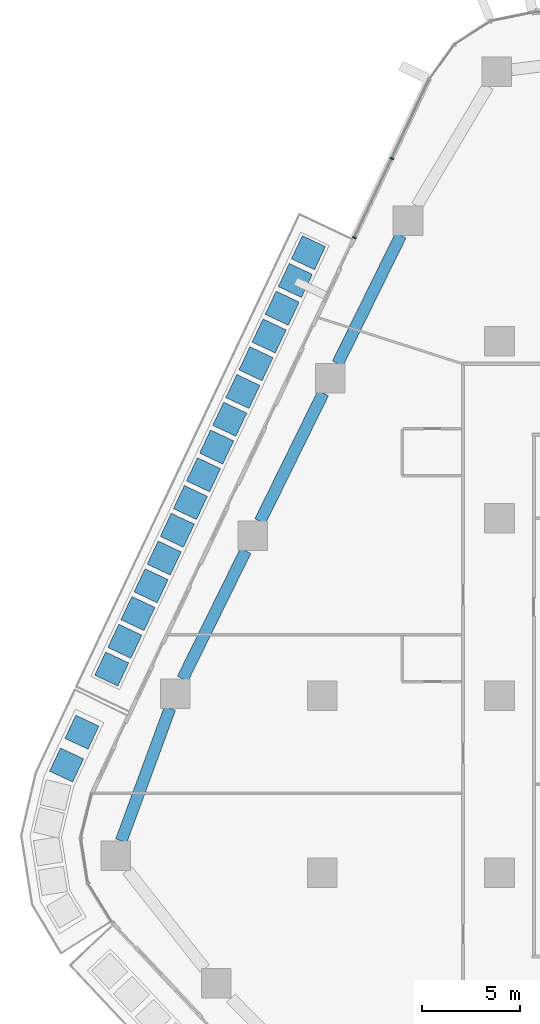
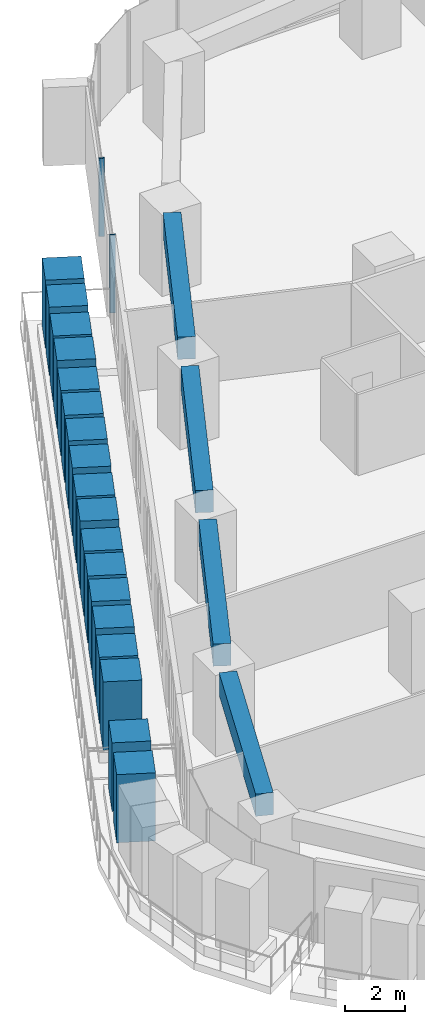
# One storey, part 5 of 25: 20 members, 4 beams, 1 element without a shape of its own.
"""IFC4 building model written with IfcOpenShell, lengths in metres."""

from ifc_helpers import new_model, si_unit, direction, frame, origin, origin_2d, place, context, subcontext, project, spatial, rectangle, extrude, material, layer, layer_set, material_profile, profile_set, type_object, element, aggregate, save


model = new_model("IFC4")

# Units and contexts
model_context = context("Model", 3, precision=1e-05, world=origin(), true_north=direction((0.0, 1.0)))
body_context = subcontext(model_context, "Body", "Model", "MODEL_VIEW")
ifc_project = project(units=[si_unit("LENGTHUNIT", "METRE"), si_unit("AREAUNIT", "SQUARE_METRE"), si_unit("VOLUMEUNIT", "CUBIC_METRE"), si_unit("PLANEANGLEUNIT", "RADIAN"), si_unit("MASSUNIT", "GRAM", prefix="KILO")], contexts=[model_context])

# Site, building, storey
site_placement = place(None, origin())
site = spatial("IfcSite", under=ifc_project, at=site_placement, CompositionType="ELEMENT")
building_placement = place(site_placement, origin())
building = spatial("IfcBuilding", under=site, at=building_placement, Name="Dongbaek Canopy Tower", CompositionType="ELEMENT")
storey_placement = place(building_placement, frame((0.0, 0.0, 81.0)))
storey = spatial("IfcBuildingStorey", under=building, at=storey_placement, Name="L16", CompositionType="ELEMENT", Elevation=81.0)

# Curtain wall, members
ifc_material_1 = material(Name="Aluminium 6063-T6 pale anodised", Category="aluminium")
ifc_layer = layer(ifc_material_1, 0.199951171875)
ifc_layer_set = layer_set([ifc_layer], Name="CW-1 unitised tower curtain wall")
curtain_wall_type = type_object("IfcCurtainWallType", Name="CW-1 unitised tower curtain wall", PredefinedType="NOTDEFINED", material=ifc_layer_set)
curtain_wall_placement = place(storey_placement, origin())
curtain_wall = element("IfcCurtainWall", 1, at=curtain_wall_placement, inside=storey, type_object=curtain_wall_type, Name="CW-1 curtain wall F2.1", PredefinedType="NOTDEFINED")
ifc_material_2 = material(Name="Aluminium 6063-T6 pale anodised", Category="aluminium")
ifc_material_profile_1 = material_profile(ifc_material_2, rectangle(XDim=0.199951171875, YDim=0.06005859375, at=origin_2d()), Name="CW-1 mullion 60 x 200")
ifc_profile_set_1 = profile_set([ifc_material_profile_1], Name="Aluminium 6063-T6 pale anodised")
member_type_1 = type_object("IfcMemberType", Name="CW-1 mullion 60 x 200", PredefinedType="MULLION", material=ifc_profile_set_1)
member_1_placement = place(storey_placement, frame((-23.4638671875, 27.283935546875, 0.1201171875), z_axis=(0.0, 0.0, 1.0), x_axis=(-0.904177236997, 0.427157493317, 0.0)))
member_1 = element("IfcMember", 2, at=member_1_placement, type_object=member_type_1, Name="CW-1 mullion F2.1.2", PredefinedType="MULLION", context=body_context, shape_type="SweptSolid", body=[
    extrude(rectangle(XDim=0.199951171875, YDim=0.06005859375, at=origin_2d()), origin(), (0.0, 0.0, 1.0), 3.179931640625),
])
member_2_placement = place(storey_placement, frame((-25.3681640625, 23.253173828125, 0.1201171875), z_axis=(0.0, 0.0, 1.0), x_axis=(-0.904177236997, 0.427157493317, 0.0)))
member_2 = element("IfcMember", 3, at=member_2_placement, type_object=member_type_1, Name="CW-1 mullion F2.1.3", PredefinedType="MULLION", context=body_context, shape_type="SweptSolid", body=[
    extrude(rectangle(XDim=0.199951171875, YDim=0.06005859375, at=origin_2d()), origin(), (0.0, 0.0, 1.0), 3.179931640625),
])
aggregate(curtain_wall, [member_1, member_2])

# Beams
ifc_material_3 = material(Name="Concrete C80", Category="concrete")
ifc_material_profile_2 = material_profile(ifc_material_3, rectangle(XDim=0.60009765625, YDim=0.89990234375, at=origin_2d()), Name="RC EDGE BEAM 600x900 C80")
ifc_profile_set_2 = profile_set([ifc_material_profile_2], Name="Concrete C80")
beam_type = type_object("IfcBeamType", Name="RC EDGE BEAM 600x900 C80", PredefinedType="BEAM", material=ifc_profile_set_2)
beam_1_placement = place(storey_placement, frame((-37.213134765625, -7.373046875, 2.85009765625), z_axis=(0.345225397682, 0.938519805223, 0.0), x_axis=(-0.938519805223, 0.345225397682, 0.0)))
element("IfcBeam", 4, at=beam_1_placement, inside=storey, type_object=beam_type, Name="EDGEBEAM:L16:08", PredefinedType="BEAM", context=body_context, shape_type="SweptSolid", body=[
    extrude(rectangle(XDim=0.60009765625, YDim=0.89990234375, at=origin_2d()), origin(), (0.0, 0.0, 1.0), 7.166748046875),
])
beam_2_placement = place(storey_placement, frame((-34.09423828125, 0.85302734375, 2.85009765625), z_axis=(0.441292548313, 0.897363297, 0.0), x_axis=(-0.897363297, 0.441292548313, 0.0)))
element("IfcBeam", 5, at=beam_2_placement, inside=storey, type_object=beam_type, Name="EDGEBEAM:L16:09", PredefinedType="BEAM", context=body_context, shape_type="SweptSolid", body=[
    extrude(rectangle(XDim=0.60009765625, YDim=0.89990234375, at=origin_2d()), origin(), (0.0, 0.0, 1.0), 7.25244140625),
])
for number, where, z_axis, x_axis, name in (
    (6, (-30.156005859375, 8.861083984375, 2.85009765625), (0.441413427837, 0.897303842477, 0.0), (-0.897303842477, 0.441413427837, 0.0), "EDGEBEAM:L16:10"),
    (7, (-26.217041015625, 16.867919921875, 2.85009765625), (0.441318766596, 0.897350403271, 0.0), (-0.897350403271, 0.441318766596, 0.0), "EDGEBEAM:L16:11"),
):
    element("IfcBeam", number, at=place(storey_placement, frame(where, z_axis=z_axis, x_axis=x_axis)), inside=storey, type_object=beam_type, Name=name, PredefinedType="BEAM", context=body_context, shape_type="SweptSolid", body=[
        extrude(rectangle(XDim=0.60009765625, YDim=0.89990234375, at=origin_2d()), origin(), (0.0, 0.0, 1.0), 7.25146484375),
    ])

# Members
ifc_material_4 = material(Name="Concrete C40/50 planter mass with planting", Category="concrete")
ifc_material_profile_3 = material_profile(ifc_material_4, rectangle(XDim=1.300048828125, YDim=1.300048828125, at=origin_2d()), Name="Terrace PLANTER shrub mass 1300 x 1300")
ifc_profile_set_3 = profile_set([ifc_material_profile_3], Name="Concrete C40/50 planter mass with planting")
member_type_2 = type_object("IfcMemberType", Name="Terrace PLANTER shrub mass 1300 x 1300", PredefinedType="USERDEFINED", material=ifc_profile_set_3)
member_3_placement = place(storey_placement, frame((-27.7041015625, 22.4990234375, 0.419921875), z_axis=(0.0, 0.0, 1.0), x_axis=(-0.904177236997, 0.427157493317, 0.0)))
element("IfcMember", 8, at=member_3_placement, inside=storey, type_object=member_type_2, Name="Planter shrubs L16 2.1", ObjectType="PLANTER", PredefinedType="USERDEFINED", context=body_context, shape_type="SweptSolid", body=[
    extrude(rectangle(XDim=1.300048828125, YDim=1.300048828125, at=origin_2d()), origin(), (0.0, 0.0, 1.0), 2.780029296875),
])
member_4_placement = place(storey_placement, frame((-28.3701171875, 21.089111328125, 0.419921875), z_axis=(0.0, 0.0, 1.0), x_axis=(-0.904177236997, 0.427157493317, 0.0)))
element("IfcMember", 9, at=member_4_placement, inside=storey, type_object=member_type_2, Name="Planter shrubs L16 2.2", ObjectType="PLANTER", PredefinedType="USERDEFINED", context=body_context, shape_type="SweptSolid", body=[
    extrude(rectangle(XDim=1.300048828125, YDim=1.300048828125, at=origin_2d()), origin(), (0.0, 0.0, 1.0), 2.77001953125),
])
member_5_placement = place(storey_placement, frame((-29.0361328125, 19.67919921875, 0.419921875), z_axis=(0.0, 0.0, 1.0), x_axis=(-0.904177236997, 0.427157493317, 0.0)))
element("IfcMember", 10, at=member_5_placement, inside=storey, type_object=member_type_2, Name="Planter shrubs L16 2.3", ObjectType="PLANTER", PredefinedType="USERDEFINED", context=body_context, shape_type="SweptSolid", body=[
    extrude(rectangle(XDim=1.300048828125, YDim=1.300048828125, at=origin_2d()), origin(), (0.0, 0.0, 1.0), 2.690185546875),
])
member_6_placement = place(storey_placement, frame((-29.7021484375, 18.269287109375, 0.419921875), z_axis=(0.0, 0.0, 1.0), x_axis=(-0.904177236997, 0.427157493317, 0.0)))
element("IfcMember", 11, at=member_6_placement, inside=storey, type_object=member_type_2, Name="Planter shrubs L16 2.4", ObjectType="PLANTER", PredefinedType="USERDEFINED", context=body_context, shape_type="SweptSolid", body=[
    extrude(rectangle(XDim=1.300048828125, YDim=1.300048828125, at=origin_2d()), origin(), (0.0, 0.0, 1.0), 2.780029296875),
])
member_7_placement = place(storey_placement, frame((-30.368408203125, 16.859375, 0.419921875), z_axis=(0.0, 0.0, 1.0), x_axis=(-0.904177236997, 0.427157493317, 0.0)))
element("IfcMember", 12, at=member_7_placement, inside=storey, type_object=member_type_2, Name="Planter shrubs L16 2.5", ObjectType="PLANTER", PredefinedType="USERDEFINED", context=body_context, shape_type="SweptSolid", body=[
    extrude(rectangle(XDim=1.300048828125, YDim=1.300048828125, at=origin_2d()), origin(), (0.0, 0.0, 1.0), 2.650146484375),
])
member_8_placement = place(storey_placement, frame((-31.034423828125, 15.44970703125, 0.419921875), z_axis=(0.0, 0.0, 1.0), x_axis=(-0.904177236997, 0.427157493317, 0.0)))
element("IfcMember", 13, at=member_8_placement, inside=storey, type_object=member_type_2, Name="Planter shrubs L16 2.6", ObjectType="PLANTER", PredefinedType="USERDEFINED", context=body_context, shape_type="SweptSolid", body=[
    extrude(rectangle(XDim=1.300048828125, YDim=1.300048828125, at=origin_2d()), origin(), (0.0, 0.0, 1.0), 2.72998046875),
])
member_9_placement = place(storey_placement, frame((-31.700439453125, 14.039794921875, 0.419921875), z_axis=(0.0, 0.0, 1.0), x_axis=(-0.904177236997, 0.427157493317, 0.0)))
element("IfcMember", 14, at=member_9_placement, inside=storey, type_object=member_type_2, Name="Planter shrubs L16 2.7", ObjectType="PLANTER", PredefinedType="USERDEFINED", context=body_context, shape_type="SweptSolid", body=[
    extrude(rectangle(XDim=1.300048828125, YDim=1.300048828125, at=origin_2d()), origin(), (0.0, 0.0, 1.0), 2.780029296875),
])
member_10_placement = place(storey_placement, frame((-32.366455078125, 12.6298828125, 0.419921875), z_axis=(0.0, 0.0, 1.0), x_axis=(-0.904177236997, 0.427157493317, 0.0)))
element("IfcMember", 15, at=member_10_placement, inside=storey, type_object=member_type_2, Name="Planter shrubs L16 2.8", ObjectType="PLANTER", PredefinedType="USERDEFINED", context=body_context, shape_type="SweptSolid", body=[
    extrude(rectangle(XDim=1.300048828125, YDim=1.300048828125, at=origin_2d()), origin(), (0.0, 0.0, 1.0), 2.77001953125),
])
member_11_placement = place(storey_placement, frame((-33.032470703125, 11.219970703125, 0.419921875), z_axis=(0.0, 0.0, 1.0), x_axis=(-0.904177236997, 0.427157493317, 0.0)))
element("IfcMember", 16, at=member_11_placement, inside=storey, type_object=member_type_2, Name="Planter shrubs L16 2.9", ObjectType="PLANTER", PredefinedType="USERDEFINED", context=body_context, shape_type="SweptSolid", body=[
    extrude(rectangle(XDim=1.300048828125, YDim=1.300048828125, at=origin_2d()), origin(), (0.0, 0.0, 1.0), 2.690185546875),
])
member_12_placement = place(storey_placement, frame((-33.69873046875, 9.81005859375, 0.419921875), z_axis=(0.0, 0.0, 1.0), x_axis=(-0.904177236997, 0.427157493317, 0.0)))
element("IfcMember", 17, at=member_12_placement, inside=storey, type_object=member_type_2, Name="Planter shrubs L16 2.10", ObjectType="PLANTER", PredefinedType="USERDEFINED", context=body_context, shape_type="SweptSolid", body=[
    extrude(rectangle(XDim=1.300048828125, YDim=1.300048828125, at=origin_2d()), origin(), (0.0, 0.0, 1.0), 2.780029296875),
])
member_13_placement = place(storey_placement, frame((-34.36474609375, 8.400146484375, 0.419921875), z_axis=(0.0, 0.0, 1.0), x_axis=(-0.904177236997, 0.427157493317, 0.0)))
element("IfcMember", 18, at=member_13_placement, inside=storey, type_object=member_type_2, Name="Planter shrubs L16 2.11", ObjectType="PLANTER", PredefinedType="USERDEFINED", context=body_context, shape_type="SweptSolid", body=[
    extrude(rectangle(XDim=1.300048828125, YDim=1.300048828125, at=origin_2d()), origin(), (0.0, 0.0, 1.0), 2.650146484375),
])
member_14_placement = place(storey_placement, frame((-35.03076171875, 6.990234375, 0.419921875), z_axis=(0.0, 0.0, 1.0), x_axis=(-0.904177236997, 0.427157493317, 0.0)))
element("IfcMember", 19, at=member_14_placement, inside=storey, type_object=member_type_2, Name="Planter shrubs L16 2.12", ObjectType="PLANTER", PredefinedType="USERDEFINED", context=body_context, shape_type="SweptSolid", body=[
    extrude(rectangle(XDim=1.300048828125, YDim=1.300048828125, at=origin_2d()), origin(), (0.0, 0.0, 1.0), 2.72998046875),
])
member_15_placement = place(storey_placement, frame((-35.69677734375, 5.58056640625, 0.419921875), z_axis=(0.0, 0.0, 1.0), x_axis=(-0.904177236997, 0.427157493317, 0.0)))
element("IfcMember", 20, at=member_15_placement, inside=storey, type_object=member_type_2, Name="Planter shrubs L16 2.13", ObjectType="PLANTER", PredefinedType="USERDEFINED", context=body_context, shape_type="SweptSolid", body=[
    extrude(rectangle(XDim=1.300048828125, YDim=1.300048828125, at=origin_2d()), origin(), (0.0, 0.0, 1.0), 2.780029296875),
])
member_16_placement = place(storey_placement, frame((-36.36279296875, 4.170654296875, 0.419921875), z_axis=(0.0, 0.0, 1.0), x_axis=(-0.904177236997, 0.427157493317, 0.0)))
element("IfcMember", 21, at=member_16_placement, inside=storey, type_object=member_type_2, Name="Planter shrubs L16 2.14", ObjectType="PLANTER", PredefinedType="USERDEFINED", context=body_context, shape_type="SweptSolid", body=[
    extrude(rectangle(XDim=1.300048828125, YDim=1.300048828125, at=origin_2d()), origin(), (0.0, 0.0, 1.0), 2.77001953125),
])
member_17_placement = place(storey_placement, frame((-37.029052734375, 2.7607421875, 0.419921875), z_axis=(0.0, 0.0, 1.0), x_axis=(-0.904177236997, 0.427157493317, 0.0)))
element("IfcMember", 22, at=member_17_placement, inside=storey, type_object=member_type_2, Name="Planter shrubs L16 2.15", ObjectType="PLANTER", PredefinedType="USERDEFINED", context=body_context, shape_type="SweptSolid", body=[
    extrude(rectangle(XDim=1.300048828125, YDim=1.300048828125, at=origin_2d()), origin(), (0.0, 0.0, 1.0), 2.690185546875),
])
for number, where, z_axis, x_axis, name in (
    (23, (-37.695068359375, 1.350830078125, 0.419921875), (0.0, 0.0, 1.0), (-0.904177236997, 0.427157493317, 0.0), "Planter shrubs L16 2.16"),
    (24, (-39.208984375, -1.858642578125, 0.419921875), (0.0, 0.0, 1.0), (-0.905149194471, 0.425094031654, 0.0), "Planter shrubs L16 6.1"),
):
    element("IfcMember", number, at=place(storey_placement, frame(where, z_axis=z_axis, x_axis=x_axis)), inside=storey, type_object=member_type_2, Name=name, ObjectType="PLANTER", PredefinedType="USERDEFINED", context=body_context, shape_type="SweptSolid", body=[
        extrude(rectangle(XDim=1.300048828125, YDim=1.300048828125, at=origin_2d()), origin(), (0.0, 0.0, 1.0), 2.780029296875),
    ])
member_18_placement = place(storey_placement, frame((-39.990478515625, -3.5224609375, 0.419921875), z_axis=(0.0, 0.0, 1.0), x_axis=(-0.905149194471, 0.425094031654, 0.0)))
element("IfcMember", 25, at=member_18_placement, inside=storey, type_object=member_type_2, Name="Planter shrubs L16 6.2", ObjectType="PLANTER", PredefinedType="USERDEFINED", context=body_context, shape_type="SweptSolid", body=[
    extrude(rectangle(XDim=1.300048828125, YDim=1.300048828125, at=origin_2d()), origin(), (0.0, 0.0, 1.0), 2.77001953125),
])

save(model, "model.ifc")
